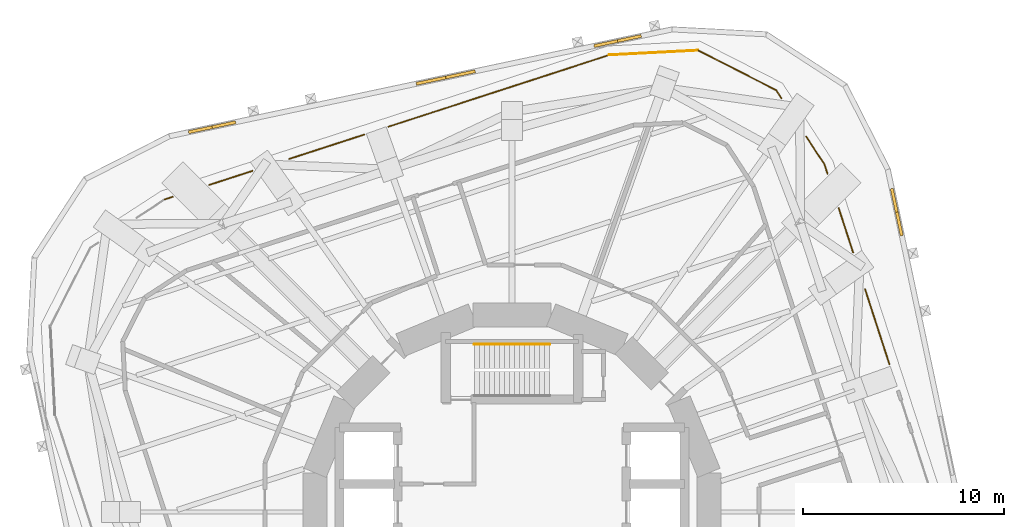
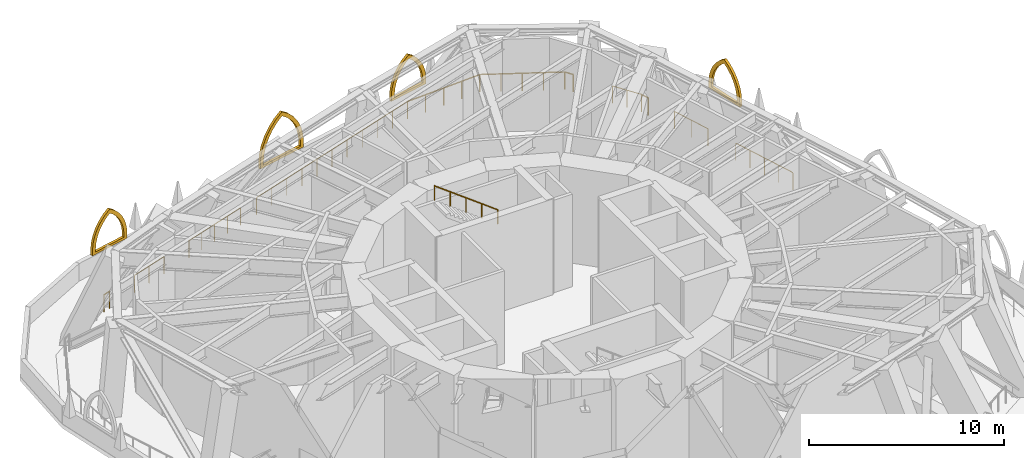
# One storey, part 10 of 11: 12 railings, 4 shading devices.
"""IFC4 building model written with IfcOpenShell, lengths in metres."""

from ifc_helpers import new_model, si_unit, direction, frame, origin, origin_2d, place, context, subcontext, project, spatial, polyline, circle, outline, extrude, material, type_object, element, save


model = new_model("IFC4")

# Units and contexts
model_context = context("Model", 3, precision=1e-05, world=origin(), true_north=direction((0.0, 1.0)))
body_context = subcontext(model_context, "Body", "Model", "MODEL_VIEW")
ifc_project = project(units=[si_unit("LENGTHUNIT", "METRE"), si_unit("AREAUNIT", "SQUARE_METRE"), si_unit("VOLUMEUNIT", "CUBIC_METRE"), si_unit("PLANEANGLEUNIT", "RADIAN"), si_unit("MASSUNIT", "GRAM", prefix="KILO")], contexts=[model_context])

# Site, building, storey
site_placement = place(None, origin())
site = spatial("IfcSite", under=ifc_project, at=site_placement, CompositionType="ELEMENT")
building_placement = place(site_placement, origin())
building = spatial("IfcBuilding", under=site, at=building_placement, Name="Nakasero Lantern House", CompositionType="ELEMENT")
storey_placement = place(building_placement, frame((0.0, 0.0, 135.800048828125)))
storey = spatial("IfcBuildingStorey", under=building, at=storey_placement, Name="L33", CompositionType="ELEMENT", Elevation=135.800048828125)

# Shading devices
ifc_material_1 = material(Name="Aluminium 6063-T6", Category="aluminium")
shading_device_type_1 = type_object("IfcShadingDeviceType", Name="Lancet screen 2400", PredefinedType="USERDEFINED", material=ifc_material_1)
for number, where, z_axis, x_axis, name in (
    (1, (19.1640625, 14.933349609375, 1.099853515625), (0.0, 0.0, 1.0), (-0.207911691, 0.978147601, 0.0), "Tracery screen L33 0-02"),
    (2, (5.26220703125, 23.45654296875, 1.099853515625), (0.0, 0.0, 1.0), (-0.978147601, -0.207911691, 0.0), "Tracery screen L33 1-00"),
    (3, (-14.933349609375, 19.1640625, 1.099853515625), (0.0, 0.0, 1.0), (-0.978147601, -0.207911691, 0.0), "Tracery screen L33 1-02"),
):
    element("IfcShadingDevice", number, at=place(storey_placement, frame(where, z_axis=z_axis, x_axis=x_axis)), inside=storey, type_object=shading_device_type_1, Name=name, ObjectType="LANCET SCREEN", PredefinedType="USERDEFINED", context=body_context, shape_type="SweptSolid", body=[
        extrude(outline(polyline([(-1.199951171875, 0.0), (1.199951171875, 0.0), (1.199951171875, 0.300048828125), (1.16357421875, 0.716796875), (1.05517578125, 1.120849609375), (0.87841796875, 1.5), (0.638427734375, 1.8427734375), (0.3427734375, 2.138427734375), (0.0, 2.37841796875), (-0.3427734375, 2.138427734375), (-0.638427734375, 1.8427734375), (-0.87841796875, 1.5), (-1.05517578125, 1.120849609375), (-1.16357421875, 0.716796875), (-1.199951171875, 0.300048828125), (-1.199951171875, 0.0)]), holes=[polyline([(-0.97998046875, 0.14990234375), (0.97998046875, 0.14990234375), (0.97998046875, 0.300048828125), (0.950439453125, 0.6572265625), (0.86279296875, 1.0048828125), (0.719482421875, 1.33349609375), (0.524169921875, 1.63427734375), (0.281982421875, 1.898681640625), (0.0, 2.1201171875), (-0.281982421875, 1.898681640625), (-0.524169921875, 1.63427734375), (-0.719482421875, 1.33349609375), (-0.86279296875, 1.0048828125), (-0.950439453125, 0.6572265625), (-0.97998046875, 0.300048828125), (-0.97998046875, 0.14990234375)])]), frame((0.0, 0.074951171875, 0.0), z_axis=(0.0, -1.0, 0.0), x_axis=(1.0, 0.0, 0.0)), (0.0, 0.0, 1.0), 0.14990234375),
    ])
ifc_material_2 = material(Name="Aluminium 6063-T6", Category="aluminium")
shading_device_type_2 = type_object("IfcShadingDeviceType", Name="Lancet screen 3000", PredefinedType="USERDEFINED", material=ifc_material_2)
shading_device_placement = place(storey_placement, frame((-3.2978515625, 21.63720703125, 1.099853515625), z_axis=(0.0, 0.0, 1.0), x_axis=(-0.978147601, -0.207911691, 0.0)))
element("IfcShadingDevice", 4, at=shading_device_placement, inside=storey, type_object=shading_device_type_2, Name="Tracery screen L33 1-01", ObjectType="LANCET SCREEN", PredefinedType="USERDEFINED", context=body_context, shape_type="SweptSolid", body=[
    extrude(outline(polyline([(-1.5, 0.0), (1.5, 0.0), (1.5, 0.300048828125), (1.454345703125, 0.821044921875), (1.319091796875, 1.326171875), (1.09814453125, 1.800048828125), (0.798095703125, 2.228271484375), (0.428466796875, 2.59814453125), (0.0, 2.898193359375), (-0.428466796875, 2.59814453125), (-0.798095703125, 2.228271484375), (-1.09814453125, 1.800048828125), (-1.319091796875, 1.326171875), (-1.454345703125, 0.821044921875), (-1.5, 0.300048828125), (-1.5, 0.0)]), holes=[polyline([(-1.280029296875, 0.14990234375), (1.280029296875, 0.14990234375), (1.280029296875, 0.300048828125), (1.241455078125, 0.761474609375), (1.126708984375, 1.21044921875), (0.939208984375, 1.6337890625), (0.683837890625, 2.020263671875), (0.367919921875, 2.359130859375), (0.0, 2.640625), (-0.367919921875, 2.359130859375), (-0.683837890625, 2.020263671875), (-0.939208984375, 1.6337890625), (-1.126708984375, 1.21044921875), (-1.241455078125, 0.761474609375), (-1.280029296875, 0.300048828125), (-1.280029296875, 0.14990234375)])]), frame((0.0, 0.074951171875, 0.0), z_axis=(0.0, -1.0, 0.0), x_axis=(1.0, 0.0, 0.0)), (0.0, 0.0, 1.0), 0.14990234375),
])

# Railings
ifc_material_3 = material(Name="Aluminium 6063-T6", Category="aluminium")
railing_type_1 = type_object("IfcRailingType", Name="Sky garden guard 1100", PredefinedType="GUARDRAIL", material=ifc_material_3)
railing_1_placement = place(storey_placement, frame((-17.297607421875, 15.566650390625, 0.0)))
element("IfcRailing", 5, at=railing_1_placement, inside=storey, type_object=railing_type_1, Name="Refuge area guard L33 7", PredefinedType="GUARDRAIL", context=body_context, shape_type="SweptSolid", body=[
    extrude(circle(Radius=0.02392578125, at=origin_2d()), frame((0.0, 0.0, 1.076171875), z_axis=(0.951098171344, 0.308888763904, 0.0), x_axis=(-0.308888763904, 0.951098171344, 0.0)), (0.0, 0.0, 1.0), 0.419677734375),
    extrude(circle(Radius=0.02099609375, at=origin_2d()), origin(), (0.0, 0.0, 1.0), 1.052001953125),
    extrude(circle(Radius=0.02099609375, at=origin_2d()), frame((0.399169921875, 0.129638671875, 0.0)), (0.0, 0.0, 1.0), 1.052001953125),
])
railing_2_placement = place(storey_placement, frame((-15.083740234375, 16.285888671875, 0.0)))
element("IfcRailing", 6, at=railing_2_placement, inside=storey, type_object=railing_type_1, Name="Refuge area guard L33 10", PredefinedType="GUARDRAIL", context=body_context, shape_type="SweptSolid", body=[
    extrude(circle(Radius=0.02392578125, at=origin_2d()), frame((0.0, 0.0, 1.076171875), z_axis=(0.951042758204, 0.309059334219, 0.0), x_axis=(-0.309059334219, 0.951042758204, 0.0)), (0.0, 0.0, 1.0), 2.27099609375),
    extrude(circle(Radius=0.02099609375, at=origin_2d()), origin(), (0.0, 0.0, 1.0), 1.052001953125),
    extrude(circle(Radius=0.02099609375, at=origin_2d()), frame((1.080078125, 0.35107421875, 0.0)), (0.0, 0.0, 1.0), 1.052001953125),
    extrude(circle(Radius=0.02099609375, at=origin_2d()), frame((2.159912109375, 0.701904296875, 0.0)), (0.0, 0.0, 1.0), 1.052001953125),
])
railing_3_placement = place(storey_placement, frame((-11.100341796875, 17.580322265625, 0.0)))
element("IfcRailing", 7, at=railing_3_placement, inside=storey, type_object=railing_type_1, Name="Refuge area guard L33 13", PredefinedType="GUARDRAIL", context=body_context, shape_type="SweptSolid", body=[
    extrude(circle(Radius=0.02392578125, at=origin_2d()), frame((0.0, 0.0, 1.076171875), z_axis=(0.951062710588, 0.308997929652, 0.0), x_axis=(-0.308997929652, 0.951062710588, 0.0)), (0.0, 0.0, 1.0), 3.94580078125),
    extrude(circle(Radius=0.02099609375, at=origin_2d()), origin(), (0.0, 0.0, 1.0), 1.052001953125),
    extrude(circle(Radius=0.02099609375, at=origin_2d()), frame((0.938232421875, 0.3046875, 0.0)), (0.0, 0.0, 1.0), 1.052001953125),
    extrude(circle(Radius=0.02099609375, at=origin_2d()), frame((1.87646484375, 0.609619140625, 0.0)), (0.0, 0.0, 1.0), 1.052001953125),
    extrude(circle(Radius=0.02099609375, at=origin_2d()), frame((2.814453125, 0.91455078125, 0.0)), (0.0, 0.0, 1.0), 1.052001953125),
    extrude(circle(Radius=0.02099609375, at=origin_2d()), frame((3.752685546875, 1.21923828125, 0.0)), (0.0, 0.0, 1.0), 1.052001953125),
])
railing_4_placement = place(storey_placement, frame((-6.158447265625, 19.18603515625, 0.0)))
element("IfcRailing", 8, at=railing_4_placement, inside=storey, type_object=railing_type_1, Name="Refuge area guard L33 15", PredefinedType="GUARDRAIL", context=body_context, shape_type="SweptSolid", body=[
    extrude(circle(Radius=0.02392578125, at=origin_2d()), frame((0.0, 0.0, 1.076171875), z_axis=(0.951057483504, 0.309014017595, 0.0), x_axis=(-0.309014017595, 0.951057483504, 0.0)), (0.0, 0.0, 1.0), 11.56884765625),
    extrude(circle(Radius=0.02099609375, at=origin_2d()), origin(), (0.0, 0.0, 1.0), 1.052001953125),
    extrude(circle(Radius=0.02099609375, at=origin_2d()), frame((1.100341796875, 0.357421875, 0.0)), (0.0, 0.0, 1.0), 1.052001953125),
    extrude(circle(Radius=0.02099609375, at=origin_2d()), frame((2.200439453125, 0.715087890625, 0.0)), (0.0, 0.0, 1.0), 1.052001953125),
    extrude(circle(Radius=0.02099609375, at=origin_2d()), frame((3.30078125, 1.072509765625, 0.0)), (0.0, 0.0, 1.0), 1.052001953125),
    extrude(circle(Radius=0.02099609375, at=origin_2d()), frame((4.401123046875, 1.429931640625, 0.0)), (0.0, 0.0, 1.0), 1.052001953125),
    extrude(circle(Radius=0.02099609375, at=origin_2d()), frame((5.50146484375, 1.78759765625, 0.0)), (0.0, 0.0, 1.0), 1.052001953125),
    extrude(circle(Radius=0.02099609375, at=origin_2d()), frame((6.6015625, 2.14501953125, 0.0)), (0.0, 0.0, 1.0), 1.052001953125),
    extrude(circle(Radius=0.02099609375, at=origin_2d()), frame((7.701904296875, 2.50244140625, 0.0)), (0.0, 0.0, 1.0), 1.052001953125),
    extrude(circle(Radius=0.02099609375, at=origin_2d()), frame((8.80224609375, 2.85986328125, 0.0)), (0.0, 0.0, 1.0), 1.052001953125),
    extrude(circle(Radius=0.02099609375, at=origin_2d()), frame((9.90234375, 3.217529296875, 0.0)), (0.0, 0.0, 1.0), 1.052001953125),
    extrude(circle(Radius=0.02099609375, at=origin_2d()), frame((11.002685546875, 3.574951171875, 0.0)), (0.0, 0.0, 1.0), 1.052001953125),
])
railing_5_placement = place(storey_placement, frame((4.84423828125, 22.760986328125, 0.0)))
element("IfcRailing", 9, at=railing_5_placement, inside=storey, type_object=railing_type_1, Name="Refuge area guard L33 17", PredefinedType="GUARDRAIL", context=body_context, shape_type="SweptSolid", body=[
    extrude(circle(Radius=0.02392578125, at=origin_2d()), frame((0.0, 0.0, 1.076171875), z_axis=(0.998629685991, 0.052333070407, 0.0), x_axis=(-0.052333070407, 0.998629685991, 0.0)), (0.0, 0.0, 1.0), 4.42724609375),
    extrude(circle(Radius=0.02099609375, at=origin_2d()), origin(), (0.0, 0.0, 1.0), 1.052001953125),
    extrude(circle(Radius=0.02099609375, at=origin_2d()), frame((1.105224609375, 0.057861328125, 0.0)), (0.0, 0.0, 1.0), 1.052001953125),
    extrude(circle(Radius=0.02099609375, at=origin_2d()), frame((2.21044921875, 0.11572265625, 0.0)), (0.0, 0.0, 1.0), 1.052001953125),
    extrude(circle(Radius=0.02099609375, at=origin_2d()), frame((3.31591796875, 0.173828125, 0.0)), (0.0, 0.0, 1.0), 1.052001953125),
    extrude(circle(Radius=0.02099609375, at=origin_2d()), frame((4.421142578125, 0.231689453125, 0.0)), (0.0, 0.0, 1.0), 1.052001953125),
])
railing_6_placement = place(storey_placement, frame((9.265380859375, 22.99267578125, 0.0)))
element("IfcRailing", 10, at=railing_6_placement, inside=storey, type_object=railing_type_1, Name="Refuge area guard L33 19", PredefinedType="GUARDRAIL", context=body_context, shape_type="SweptSolid", body=[
    extrude(circle(Radius=0.02392578125, at=origin_2d()), frame((0.0, 0.0, 1.076171875), z_axis=(0.891012608889, -0.453978557645, 0.0), x_axis=(0.453978557645, 0.891012608889, 0.0)), (0.0, 0.0, 1.0), 4.36572265625),
    extrude(circle(Radius=0.02099609375, at=origin_2d()), origin(), (0.0, 0.0, 1.0), 1.052001953125),
    extrude(circle(Radius=0.02099609375, at=origin_2d()), frame((0.972412109375, -0.49560546875, 0.0)), (0.0, 0.0, 1.0), 1.052001953125),
    extrude(circle(Radius=0.02099609375, at=origin_2d()), frame((1.94482421875, -0.990966796875, 0.0)), (0.0, 0.0, 1.0), 1.052001953125),
    extrude(circle(Radius=0.02099609375, at=origin_2d()), frame((2.91748046875, -1.486328125, 0.0)), (0.0, 0.0, 1.0), 1.052001953125),
    extrude(circle(Radius=0.02099609375, at=origin_2d()), frame((3.889892578125, -1.98193359375, 0.0)), (0.0, 0.0, 1.0), 1.052001953125),
])
railing_7_placement = place(storey_placement, frame((13.1552734375, 21.0107421875, 0.0)))
element("IfcRailing", 11, at=railing_7_placement, inside=storey, type_object=railing_type_1, Name="Refuge area guard L33 21", PredefinedType="GUARDRAIL", context=body_context, shape_type="SweptSolid", body=[
    extrude(circle(Radius=0.02392578125, at=origin_2d()), frame((0.0, 0.0, 1.076171875), z_axis=(0.54472435218, -0.83861515616, 0.0), x_axis=(0.83861515616, 0.54472435218, 0.0)), (0.0, 0.0, 1.0), 0.487548828125),
    extrude(circle(Radius=0.02099609375, at=origin_2d()), origin(), (0.0, 0.0, 1.0), 1.052001953125),
    extrude(circle(Radius=0.02099609375, at=origin_2d()), frame((0.265625, -0.408935546875, 0.0)), (0.0, 0.0, 1.0), 1.052001953125),
])
railing_8_placement = place(storey_placement, frame((14.653076171875, 18.704345703125, 0.0)))
element("IfcRailing", 12, at=railing_8_placement, inside=storey, type_object=railing_type_1, Name="Refuge area guard L33 22", PredefinedType="GUARDRAIL", context=body_context, shape_type="SweptSolid", body=[
    extrude(circle(Radius=0.02392578125, at=origin_2d()), frame((0.0, 0.0, 1.076171875), z_axis=(0.544650649285, -0.838663025436, 0.0), x_axis=(0.838663025436, 0.544650649285, 0.0)), (0.0, 0.0, 1.0), 1.67724609375),
    extrude(circle(Radius=0.02099609375, at=origin_2d()), origin(), (0.0, 0.0, 1.0), 1.052001953125),
    extrude(circle(Radius=0.02099609375, at=origin_2d()), frame((0.456787109375, -0.703369140625, 0.0)), (0.0, 0.0, 1.0), 1.052001953125),
    extrude(circle(Radius=0.02099609375, at=origin_2d()), frame((0.91357421875, -1.40673828125, 0.0)), (0.0, 0.0, 1.0), 1.052001953125),
])
railing_9_placement = place(storey_placement, frame((15.566650390625, 17.297607421875, 0.0)))
element("IfcRailing", 13, at=railing_9_placement, inside=storey, type_object=railing_type_1, Name="Refuge area guard L33 24", PredefinedType="GUARDRAIL", context=body_context, shape_type="SweptSolid", body=[
    extrude(circle(Radius=0.02392578125, at=origin_2d()), frame((0.0, 0.0, 1.076171875), z_axis=(0.308830862166, -0.95111697418, 0.0), x_axis=(0.95111697418, 0.308830862166, 0.0)), (0.0, 0.0, 1.0), 0.475830078125),
    extrude(circle(Radius=0.02099609375, at=origin_2d()), origin(), (0.0, 0.0, 1.0), 1.052001953125),
    extrude(circle(Radius=0.02099609375, at=origin_2d()), frame((0.14697265625, -0.45263671875, 0.0)), (0.0, 0.0, 1.0), 1.052001953125),
])
railing_10_placement = place(storey_placement, frame((16.2685546875, 15.13720703125, 0.0)))
element("IfcRailing", 14, at=railing_10_placement, inside=storey, type_object=railing_type_1, Name="Refuge area guard L33 25", PredefinedType="GUARDRAIL", context=body_context, shape_type="SweptSolid", body=[
    extrude(circle(Radius=0.02392578125, at=origin_2d()), frame((0.0, 0.0, 1.076171875), z_axis=(0.309043375616, -0.951047944106, 0.0), x_axis=(0.951047944106, 0.309043375616, 0.0)), (0.0, 0.0, 1.0), 2.327392578125),
    extrude(circle(Radius=0.02099609375, at=origin_2d()), origin(), (0.0, 0.0, 1.0), 1.052001953125),
    extrude(circle(Radius=0.02099609375, at=origin_2d()), frame((0.359619140625, -1.106689453125, 0.0)), (0.0, 0.0, 1.0), 1.052001953125),
    extrude(circle(Radius=0.02099609375, at=origin_2d()), frame((0.71923828125, -2.21337890625, 0.0)), (0.0, 0.0, 1.0), 1.052001953125),
])
railing_11_placement = place(storey_placement, frame((17.580322265625, 11.100341796875, 0.0)))
element("IfcRailing", 15, at=railing_11_placement, inside=storey, type_object=railing_type_1, Name="Refuge area guard L33 27", PredefinedType="GUARDRAIL", context=body_context, shape_type="SweptSolid", body=[
    extrude(circle(Radius=0.02392578125, at=origin_2d()), frame((0.0, 0.0, 1.076171875), z_axis=(0.308997929652, -0.951062710588, 0.0), x_axis=(0.951062710588, 0.308997929652, 0.0)), (0.0, 0.0, 1.0), 3.94580078125),
    extrude(circle(Radius=0.02099609375, at=origin_2d()), origin(), (0.0, 0.0, 1.0), 1.052001953125),
    extrude(circle(Radius=0.02099609375, at=origin_2d()), frame((0.3046875, -0.938232421875, 0.0)), (0.0, 0.0, 1.0), 1.052001953125),
    extrude(circle(Radius=0.02099609375, at=origin_2d()), frame((0.609619140625, -1.87646484375, 0.0)), (0.0, 0.0, 1.0), 1.052001953125),
    extrude(circle(Radius=0.02099609375, at=origin_2d()), frame((0.91455078125, -2.814453125, 0.0)), (0.0, 0.0, 1.0), 1.052001953125),
    extrude(circle(Radius=0.02099609375, at=origin_2d()), frame((1.21923828125, -3.752685546875, 0.0)), (0.0, 0.0, 1.0), 1.052001953125),
])
ifc_material_4 = material(Name="Stainless steel 316", Category="steel")
railing_type_2 = type_object("IfcRailingType", Name="Stair handrail 900", PredefinedType="HANDRAIL", material=ifc_material_4)
railing_12_placement = place(storey_placement, frame((1.875, 8.35009765625, 3.1875)))
element("IfcRailing", 16, at=railing_12_placement, inside=storey, type_object=railing_type_2, Name="Handrail ST1 L33 flight 2", PredefinedType="HANDRAIL", context=body_context, shape_type="SweptSolid", body=[
    extrude(circle(Radius=0.02392578125, at=origin_2d()), frame((0.0, 0.0, 0.8759765625), z_axis=(-0.8, 0.0, 0.6), x_axis=(0.0, -1.0, 0.0)), (0.0, 0.0, 1.0), 4.6875),
    extrude(circle(Radius=0.02099609375, at=origin_2d()), origin(), (0.0, 0.0, 1.0), 0.851806640625),
    extrude(circle(Radius=0.02099609375, at=origin_2d()), frame((-0.9375, 0.0, 0.703125)), (0.0, 0.0, 1.0), 0.851806640625),
    extrude(circle(Radius=0.02099609375, at=origin_2d()), frame((-1.875, 0.0, 1.40625)), (0.0, 0.0, 1.0), 0.851806640625),
    extrude(circle(Radius=0.02099609375, at=origin_2d()), frame((-2.8125, 0.0, 2.109375)), (0.0, 0.0, 1.0), 0.851806640625),
    extrude(circle(Radius=0.02099609375, at=origin_2d()), frame((-3.75, 0.0, 2.8125)), (0.0, 0.0, 1.0), 0.851806640625),
])

save(model, "model.ifc")
